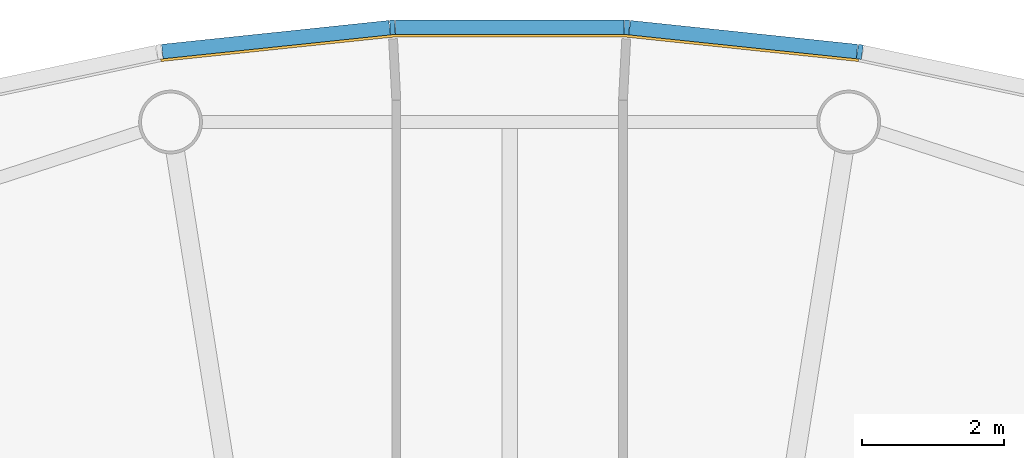
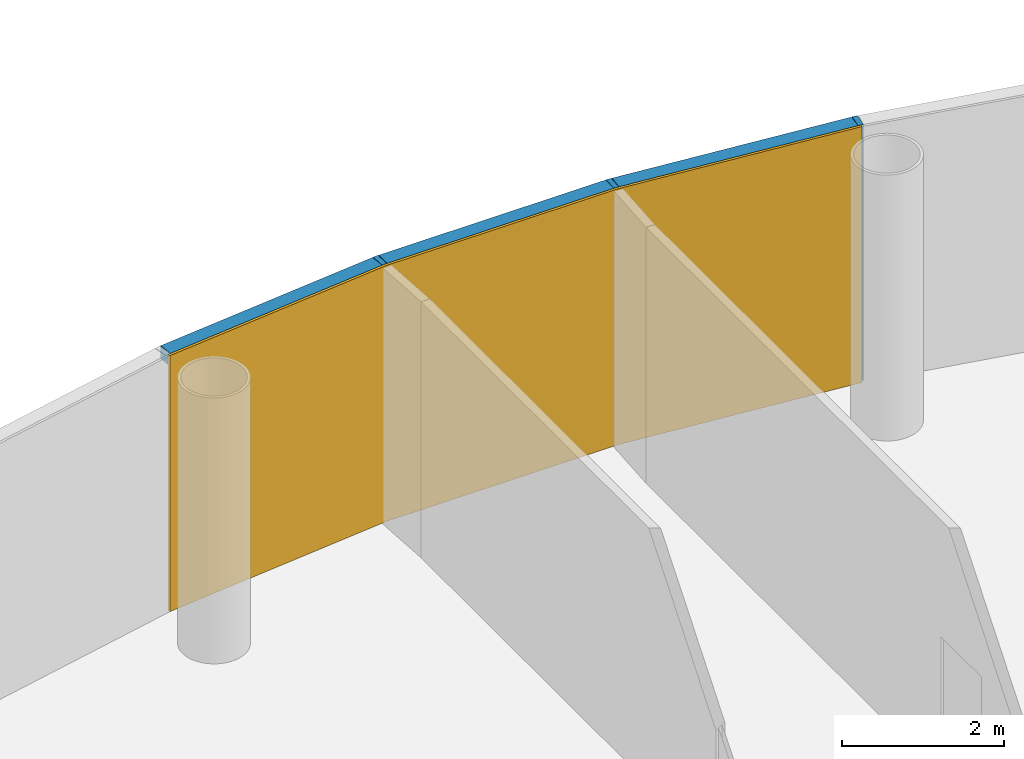
# One storey, part 11 of 13: 6 members, 1 curtain wall.
"""IFC4 building model written with IfcOpenShell, lengths in metres."""

from ifc_helpers import new_model, si_unit, direction, frame, origin, origin_2d, place, context, subcontext, project, spatial, polyline, rectangle, outline, extrude, material, layer, layer_set, material_profile, profile_set, type_object, element, aggregate, save


model = new_model("IFC4")

# Units and contexts
model_context = context("Model", 3, precision=1e-05, world=origin(), true_north=direction((0.0, 1.0)))
body_context = subcontext(model_context, "Body", "Model", "MODEL_VIEW")
ifc_project = project(units=[si_unit("LENGTHUNIT", "METRE"), si_unit("AREAUNIT", "SQUARE_METRE"), si_unit("VOLUMEUNIT", "CUBIC_METRE"), si_unit("PLANEANGLEUNIT", "RADIAN"), si_unit("MASSUNIT", "GRAM", prefix="KILO")], contexts=[model_context])

# Member
ifc_material_1 = material(Name="Anodised aluminium", Category="aluminium")
ifc_material_profile_1 = material_profile(ifc_material_1, rectangle(XDim=0.070068359375, YDim=0.205078125, at=origin_2d()), Name="Mullion 70 x 205 mm anodised aluminium")
ifc_profile_set_1 = profile_set([ifc_material_profile_1], Name="Anodised aluminium")
member_type_1 = type_object("IfcMemberType", Name="Mullion 70 x 205 mm anodised aluminium", PredefinedType="MULLION", material=ifc_profile_set_1)
site_placement = place(None, origin())
building_placement = place(site_placement, origin())
storey_placement = place(building_placement, frame((0.0, 0.0, 360.0)))
member_1_placement = place(storey_placement, frame((94.943603515625, 111.21337890625, 0.0), z_axis=(0.0, 0.0, 1.0), x_axis=(-0.987688340595, 0.15643446504, 0.0)))
member_1 = element("IfcMember", 1, at=member_1_placement, type_object=member_type_1, Name="MULLION L83-12", PredefinedType="MULLION", context=body_context, shape_type="SweptSolid", body=[
    extrude(rectangle(XDim=0.070068359375, YDim=0.205078125, at=origin_2d()), origin(), (0.0, 0.0, 1.0), 3.85009765625),
])

member_2_placement = place(storey_placement, frame((91.654052734375, 111.55908203125, 0.0), z_axis=(0.0, 0.0, 1.0), x_axis=(-0.998629534755, 0.052335956243, 0.0)))
member_2 = element("IfcMember", 2, at=member_2_placement, type_object=member_type_1, Name="MULLION L83-13", PredefinedType="MULLION", context=body_context, shape_type="SweptSolid", body=[
    extrude(rectangle(XDim=0.070068359375, YDim=0.205078125, at=origin_2d()), origin(), (0.0, 0.0, 1.0), 3.85009765625),
])

member_3_placement = place(storey_placement, frame((88.345947265625, 111.55908203125, 0.0), z_axis=(0.0, 0.0, 1.0), x_axis=(-0.998629534755, -0.052335956243, 0.0)))
member_3 = element("IfcMember", 3, at=member_3_placement, type_object=member_type_1, Name="MULLION L83-14", PredefinedType="MULLION", context=body_context, shape_type="SweptSolid", body=[
    extrude(rectangle(XDim=0.070068359375, YDim=0.205078125, at=origin_2d()), origin(), (0.0, 0.0, 1.0), 3.85009765625),
])

ifc_material_2 = material(Name="Anodised aluminium", Category="aluminium")
ifc_material_profile_2 = material_profile(ifc_material_2, rectangle(XDim=0.205078125, YDim=0.195068359375, at=origin_2d()), Name="Transom 195 x 205 mm anodised aluminium")
ifc_profile_set_2 = profile_set([ifc_material_profile_2], Name="Anodised aluminium")
member_type_2 = type_object("IfcMemberType", Name="Transom 195 x 205 mm anodised aluminium", PredefinedType="USERDEFINED", material=ifc_profile_set_2)
member_4_placement = place(storey_placement, frame((94.903564453125, 111.2177734375, 3.75244140625), z_axis=(-0.994519537956, 0.104550890115, 0.0), x_axis=(-0.104550890115, -0.994519537956, 0.0)))
member_4 = element("IfcMember", 4, at=member_4_placement, type_object=member_type_2, Name="TRANSOM L83-12", ObjectType="TRANSOM", PredefinedType="USERDEFINED", context=body_context, shape_type="SweptSolid", body=[
    extrude(rectangle(XDim=0.205078125, YDim=0.195068359375, at=origin_2d()), origin(), (0.0, 0.0, 1.0), 3.22705078125),
])

member_5_placement = place(storey_placement, frame((91.613525390625, 111.559326171875, 3.75244140625), z_axis=(-1.0, 0.0, 0.0), x_axis=(0.0, -1.0, 0.0)))
member_5 = element("IfcMember", 5, at=member_5_placement, type_object=member_type_2, Name="TRANSOM L83-13", ObjectType="TRANSOM", PredefinedType="USERDEFINED", context=body_context, shape_type="SweptSolid", body=[
    extrude(rectangle(XDim=0.205078125, YDim=0.195068359375, at=origin_2d()), origin(), (0.0, 0.0, 1.0), 3.22705078125),
])

member_6_placement = place(storey_placement, frame((88.305908203125, 111.55517578125, 3.75244140625), z_axis=(-0.994519537956, -0.104550890115, 0.0), x_axis=(0.104550890115, -0.994519537956, 0.0)))
member_6 = element("IfcMember", 6, at=member_6_placement, type_object=member_type_2, Name="TRANSOM L83-14", ObjectType="TRANSOM", PredefinedType="USERDEFINED", context=body_context, shape_type="SweptSolid", body=[
    extrude(rectangle(XDim=0.205078125, YDim=0.195068359375, at=origin_2d()), origin(), (0.0, 0.0, 1.0), 3.22705078125),
])

# Site, building, storey
site = spatial("IfcSite", under=ifc_project, at=site_placement, CompositionType="ELEMENT")
building = spatial("IfcBuilding", under=site, at=building_placement, Name="Entoto Ring Tower", CompositionType="ELEMENT")
storey = spatial("IfcBuildingStorey", under=building, at=storey_placement, Name="L83", CompositionType="ELEMENT", Elevation=360.0)

# Curtain wall
ifc_material_3 = material(Name="Clear low-iron glass", Category="glass")
ifc_layer = layer(ifc_material_3, 0.035888671875)
ifc_layer_set = layer_set([ifc_layer], Name="Clear low-iron glass")
curtain_wall_type = type_object("IfcCurtainWallType", Name="Curtain wall system CW6 glazing 36 mm", PredefinedType="NOTDEFINED", material=ifc_layer_set)
curtain_wall_placement = place(storey_placement, origin())
curtain_wall = element("IfcCurtainWall", 7, at=curtain_wall_placement, inside=storey, type_object=curtain_wall_type, Name="CW6 L83-05", PredefinedType="NOTDEFINED", context=body_context, shape_type="SweptSolid", body=[
    extrude(outline(polyline([(94.927734375, 111.1123046875), (91.648681640625, 111.456787109375), (88.351318359375, 111.456787109375), (85.072265625, 111.1123046875), (85.077880859375, 111.07666015625), (88.353271484375, 111.4208984375), (91.646728515625, 111.4208984375), (94.922119140625, 111.07666015625), (94.927734375, 111.1123046875)])), origin(), (0.0, 0.0, 1.0), 3.85009765625),
])

aggregate(curtain_wall, [member_1, member_2, member_3, member_4, member_5, member_6])

save(model, "model.ifc")
